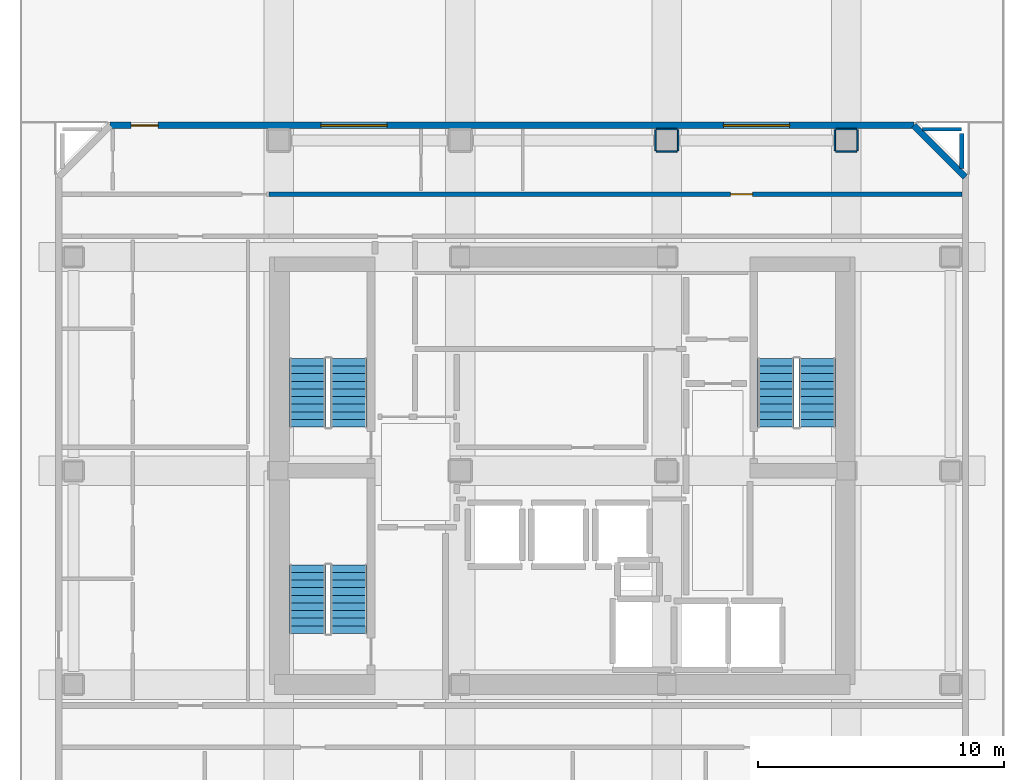
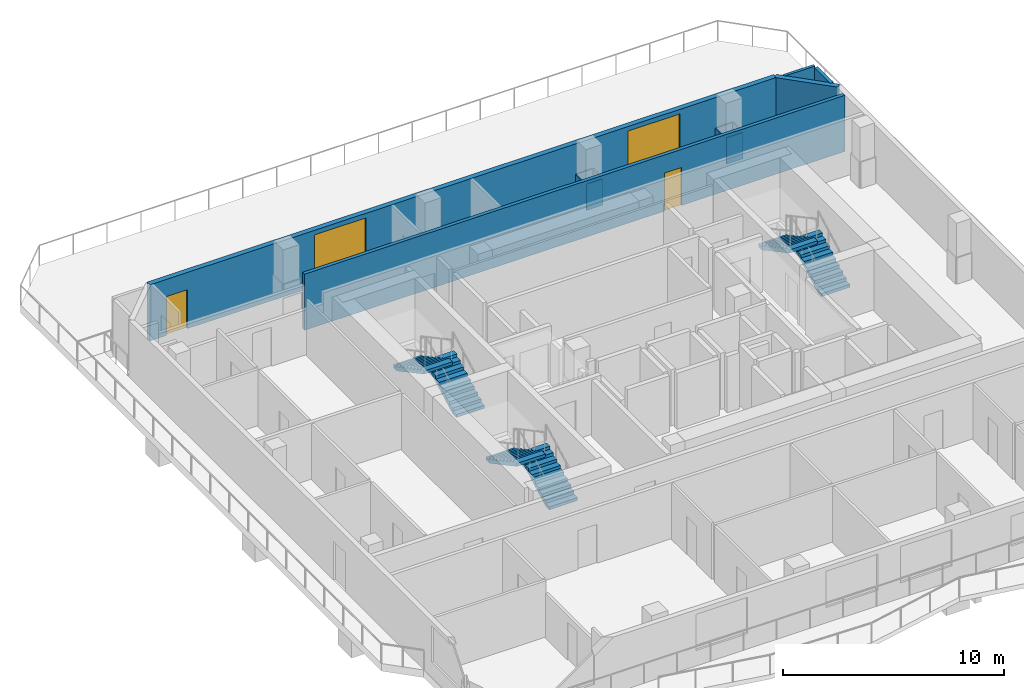
# One storey, part 6 of 10: 13 walls, 6 stair flights, 2 doors, 2 windows, 4 openings, 3 elements without a shape of their own.
"""IFC4 building model written with IfcOpenShell, lengths in metres."""

import ifcopenshell
import ifcopenshell.guid

model = None  # the IFC model being written
_history = None  # IfcOwnerHistory: only IFC2X3 demands one
_inside = {}  # id of a spatial element -> (the spatial element, [elements in it])
_under = {}  # id of a project, library or spatial element -> (it, [spatial elements below it])
_declared = {}  # id of a project -> (the project, [libraries it declares])
_typed = {}  # id of a type object -> (the type object, [elements of that type])
_made_of = {}  # id of a material, layer set ... -> (it, [elements and type objects made of it])


def new_model(schema):
    """Start an empty IFC model of exactly this schema.

    Asked for "IFC4X3", IfcOpenShell would pick the latest addendum, in which some entities
    have other attributes; the version numbers below select the first issue.
    IFC2X3 requires an IfcOwnerHistory on every rooted entity: one is made here for all.
    """
    global model, _history
    if schema == "IFC4X3":
        model = ifcopenshell.file(schema_version=(4, 3, 0, 0))
    else:
        model = ifcopenshell.file(schema=schema)
    _inside.clear()
    _under.clear()
    _declared.clear()
    _typed.clear()
    _made_of.clear()
    _history = None
    if model.schema == "IFC2X3":
        org = make("IfcOrganization", Name="unknown")
        user = make(
            "IfcPersonAndOrganization",
            ThePerson=make("IfcPerson", FamilyName="unknown"),
            TheOrganization=org,
        )
        app = make(
            "IfcApplication",
            ApplicationDeveloper=org,
            Version="unknown",
            ApplicationFullName="unknown",
            ApplicationIdentifier="unknown",
        )
        _history = make(
            "IfcOwnerHistory",
            OwningUser=user,
            OwningApplication=app,
            ChangeAction="ADDED",
            CreationDate=0,
        )
    return model


def make(cls, **values):
    """One entity of the class cls with the attributes given. An attribute that is None is left unset."""
    return model.create_entity(
        cls, **{name: value for name, value in values.items() if value is not None}
    )


def rooted(cls, **values):
    """An entity with a GlobalId (a new one), such as an element, a storey or a relation."""
    return make(cls, GlobalId=ifcopenshell.guid.new(), OwnerHistory=_history, **values)


def si_unit(unit_type, name, prefix=None):
    """IfcSIUnit, for example si_unit("LENGTHUNIT", "METRE", prefix="MILLI")."""
    return make("IfcSIUnit", UnitType=unit_type, Prefix=prefix, Name=name)


def assignment(units):
    """IfcUnitAssignment: the units of a project."""
    return None if units is None else make("IfcUnitAssignment", Units=units)


def point(xyz):
    """IfcCartesianPoint."""
    return None if xyz is None else make("IfcCartesianPoint", Coordinates=xyz)


def direction(xyz):
    """IfcDirection."""
    return None if xyz is None else make("IfcDirection", DirectionRatios=xyz)


def frame(location, z_axis=None, x_axis=None):
    """IfcAxis2Placement3D, a coordinate frame: its origin and axes. An axis left out is left unset."""
    return make(
        "IfcAxis2Placement3D",
        Location=point(location),
        Axis=direction(z_axis),
        RefDirection=direction(x_axis),
    )


def frame_2d(location, x_axis=None):
    """IfcAxis2Placement2D, a coordinate frame in the plane: its origin and x axis."""
    return make(
        "IfcAxis2Placement2D", Location=point(location), RefDirection=direction(x_axis)
    )


def origin():
    """The frame at (0, 0, 0) with its axes left unset."""
    return frame((0.0, 0.0, 0.0))


def place(relative_to, where):
    """IfcLocalPlacement: puts the frame where relative to a parent placement (None: the world)."""
    return make(
        "IfcLocalPlacement", PlacementRelTo=relative_to, RelativePlacement=where
    )


def context(
    kind, dimensions, precision=None, world=None, true_north=None, identifier=None
):
    """IfcGeometricRepresentationContext, for example the 3D "Model" context."""
    return make(
        "IfcGeometricRepresentationContext",
        ContextIdentifier=identifier,
        ContextType=kind,
        CoordinateSpaceDimension=dimensions,
        Precision=precision,
        WorldCoordinateSystem=world,
        TrueNorth=true_north,
    )


def subcontext(parent, identifier, kind, view, scale=None):
    """IfcGeometricRepresentationSubContext, for example "Body" below "Model"."""
    return make(
        "IfcGeometricRepresentationSubContext",
        ContextIdentifier=identifier,
        ContextType=kind,
        ParentContext=parent,
        TargetScale=scale,
        TargetView=view,
    )


def project(units=None, contexts=None):
    """IfcProject with its units and contexts."""
    return rooted(
        "IfcProject",
        Name="project",
        RepresentationContexts=contexts,
        UnitsInContext=assignment(units),
    )


def spatial(cls, under=None, at=None, **own):
    """A site, building, storey or space (cls), placed at a placement, below another one or the project."""
    s = rooted(cls, ObjectPlacement=at, **own)
    if under is not None:
        _under.setdefault(under.id(), (under, []))[1].append(s)
    return s


def polyline(points):
    """IfcPolyline through the points."""
    return make("IfcPolyline", Points=[point(p) for p in points])


def profile(cls, at=None, kind="AREA", **sizes):
    """A parametric profile (cls). Its sizes go by their IFC names, for example OverallWidth=200.0."""
    return make(cls, ProfileType=kind, Position=at, **sizes)


def rectangle(**sizes):
    """IfcRectangleProfileDef."""
    return profile("IfcRectangleProfileDef", **sizes)


def outline(outer, holes=None, kind="AREA"):
    """IfcArbitraryClosedProfileDef: a profile drawn as a closed curve; with holes, ...WithVoids."""
    if holes is None:
        return make("IfcArbitraryClosedProfileDef", ProfileType=kind, OuterCurve=outer)
    return make(
        "IfcArbitraryProfileDefWithVoids",
        ProfileType=kind,
        OuterCurve=outer,
        InnerCurves=holes,
    )


def extrude(swept, where, along, depth):
    """IfcExtrudedAreaSolid: the profile swept, set in the frame where, extruded along a direction by depth."""
    return make(
        "IfcExtrudedAreaSolid",
        SweptArea=swept,
        Position=where,
        ExtrudedDirection=direction(along),
        Depth=depth,
    )


def shape(context_of_items, identifier, shape_type, items):
    """IfcShapeRepresentation: the items that make up one representation, for example the "Body"."""
    return make(
        "IfcShapeRepresentation",
        ContextOfItems=context_of_items,
        RepresentationIdentifier=identifier,
        RepresentationType=shape_type,
        Items=items,
    )


def material(Name=None, Category=None):
    """IfcMaterial."""
    return make("IfcMaterial", Name=Name, Category=Category)


def layer(
    of_material, thickness, ventilated=None, Name=None, Category=None, Priority=None
):
    """IfcMaterialLayer: one layer of a wall or slab, of a material (None: an air gap)."""
    return make(
        "IfcMaterialLayer",
        Material=of_material,
        LayerThickness=thickness,
        IsVentilated=ventilated,
        Name=Name,
        Category=Category,
        Priority=Priority,
    )


def layer_set(layers, Name=None):
    """IfcMaterialLayerSet."""
    return make("IfcMaterialLayerSet", MaterialLayers=layers, LayerSetName=Name)


def made_of(thing, what):
    """Note that an element or type object is made of a material, layer set ...; save() writes the relation."""
    if what is not None:
        _made_of.setdefault(what.id(), (what, []))[1].append(thing)
    return thing


def type_object(cls, material=None, **own):
    """A type object (cls), such as IfcWallType, which elements share."""
    return made_of(rooted(cls, **own), material)


def element(
    cls,
    number,
    at=None,
    inside=None,
    cuts=None,
    type_object=None,
    material=None,
    context=None,
    identifier="Body",
    shape_type=None,
    held_by="IfcProductDefinitionShape",
    body=None,
    shapes=None,
    **own,
):
    """One element of the class cls, such as IfcWall. Its Tag is "e" and its number.

    at: its placement. inside: the storey or other place that contains it. cuts: it is an
    opening in that element (IfcRelVoidsElement). A single representation is given by context,
    identifier, shape_type and body (its items); several are given by shapes. held_by: the class
    of the entity that holds the representations. save() writes the other relations.
    """
    e = rooted(cls, Tag="e%d" % number, ObjectPlacement=at, **own)
    if body is not None:
        shapes = [shape(context, identifier, shape_type, body)]
    if shapes is not None:
        e.Representation = make(held_by, Representations=shapes)
    if inside is not None:
        _inside.setdefault(inside.id(), (inside, []))[1].append(e)
    if cuts is not None:
        rooted(
            "IfcRelVoidsElement", RelatingBuildingElement=cuts, RelatedOpeningElement=e
        )
    if type_object is not None:
        _typed.setdefault(type_object.id(), (type_object, []))[1].append(e)
    return made_of(e, material)


def fill(opening, filler):
    """IfcRelFillsElement: the door or window that sits in an opening."""
    return rooted(
        "IfcRelFillsElement",
        RelatingOpeningElement=opening,
        RelatedBuildingElement=filler,
    )


def aggregate(whole, parts):
    """IfcRelAggregates: a whole, such as a stair, and the parts it consists of."""
    return rooted("IfcRelAggregates", RelatingObject=whole, RelatedObjects=parts)


def save(model, path):
    """Write the relations noted so far, then the file.

    IfcRelAggregates (storeys below a building ...), IfcRelContainedInSpatialStructure (elements
    in a storey), IfcRelDefinesByType, IfcRelAssociatesMaterial and IfcRelDeclares: one each for
    every whole, place, type object, material and project.
    """
    for whole, parts in _under.values():
        aggregate(whole, parts)
    for where, things in _inside.values():
        rooted(
            "IfcRelContainedInSpatialStructure",
            RelatedElements=things,
            RelatingStructure=where,
        )
    for kind, things in _typed.values():
        rooted("IfcRelDefinesByType", RelatedObjects=things, RelatingType=kind)
    for what, things in _made_of.values():
        rooted("IfcRelAssociatesMaterial", RelatedObjects=things, RelatingMaterial=what)
    for by, libraries in _declared.values():
        rooted("IfcRelDeclares", RelatingContext=by, RelatedDefinitions=libraries)
    model.write(path)


model = new_model("IFC4")

# Units and contexts
model_context = context("Model", 3, precision=1e-05, world=origin(), true_north=direction((0.0, 1.0)))
body_context = subcontext(model_context, "Body", "Model", "MODEL_VIEW")
ifc_project = project(units=[si_unit("LENGTHUNIT", "METRE"), si_unit("AREAUNIT", "SQUARE_METRE"), si_unit("VOLUMEUNIT", "CUBIC_METRE"), si_unit("PLANEANGLEUNIT", "RADIAN"), si_unit("MASSUNIT", "GRAM", prefix="KILO")], contexts=[model_context])

# Site, building, storey
site_placement = place(None, origin())
site = spatial("IfcSite", under=ifc_project, at=site_placement, CompositionType="ELEMENT")
building_placement = place(site_placement, origin())
building = spatial("IfcBuilding", under=site, at=building_placement, Name="Solanera Arch Residences", CompositionType="ELEMENT")
storey_placement = place(building_placement, frame((0.0, 0.0, 190.159912109375)))
storey = spatial("IfcBuildingStorey", under=building, at=storey_placement, Name="L55", CompositionType="ELEMENT", Elevation=190.159912109375)

# Walls
ifc_material_1 = material(Name="Fire-Rated Gypsum Stud Partition", Category="gypsum")
ifc_layer_1 = layer(ifc_material_1, 0.06005859375)
ifc_layer_set_1 = layer_set([ifc_layer_1], Name="Fire-Rated Gypsum Stud Partition")
wall_type_1 = type_object("IfcWallType", Name="Column Acoustic Furring Wall 60", PredefinedType="PARTITIONING", material=ifc_layer_set_1)
for number, where, z_axis, x_axis, name in (
    (1, (28.77490234375, 43.693115234375, 0.0), (0.0, 0.0, 1.0), (1.0, 0.0, 0.0), "L55 Column Furring 14S"),
    (2, (28.77490234375, 44.60693359375, 0.0), (0.0, 0.0, 1.0), (1.0, 0.0, 0.0), "L55 Column Furring 14N"),
):
    element("IfcWall", number, at=place(storey_placement, frame(where, z_axis=z_axis, x_axis=x_axis)), inside=storey, type_object=wall_type_1, Name=name, PredefinedType="PARTITIONING", context=body_context, shape_type="SweptSolid", body=[
        extrude(rectangle(XDim=0.85009765625, YDim=0.06005859375, at=frame_2d((0.425048828125, 0.0))), origin(), (0.0, 0.0, 1.0), 1.4501953125),
    ])
for number, where, z_axis, x_axis, name in (
    (3, (28.742919921875, 43.72509765625, 0.0), (0.0, 0.0, 1.0), (0.0, 1.0, 0.0), "L55 Column Furring 14W"),
    (4, (29.656982421875, 43.72509765625, 0.0), (0.0, 0.0, 1.0), (0.0, 1.0, 0.0), "L55 Column Furring 14E"),
):
    element("IfcWall", number, at=place(storey_placement, frame(where, z_axis=z_axis, x_axis=x_axis)), inside=storey, type_object=wall_type_1, Name=name, PredefinedType="PARTITIONING", context=body_context, shape_type="SweptSolid", body=[
        extrude(rectangle(XDim=0.849853515625, YDim=0.06005859375, at=frame_2d((0.4248046875, 0.0))), origin(), (0.0, 0.0, 1.0), 1.4501953125),
    ])
for number, where, z_axis, x_axis, name in (
    (5, (36.074951171875, 43.693115234375, 0.0), (0.0, 0.0, 1.0), (1.0, 0.0, 0.0), "L55 Column Furring 16S"),
    (6, (36.074951171875, 44.60693359375, 0.0), (0.0, 0.0, 1.0), (1.0, 0.0, 0.0), "L55 Column Furring 16N"),
):
    element("IfcWall", number, at=place(storey_placement, frame(where, z_axis=z_axis, x_axis=x_axis)), inside=storey, type_object=wall_type_1, Name=name, PredefinedType="PARTITIONING", context=body_context, shape_type="SweptSolid", body=[
        extrude(rectangle(XDim=0.85009765625, YDim=0.06005859375, at=frame_2d((0.425048828125, 0.0))), origin(), (0.0, 0.0, 1.0), 1.4501953125),
    ])
for number, where, z_axis, x_axis, name in (
    (7, (36.04296875, 43.72509765625, 0.0), (0.0, 0.0, 1.0), (0.0, 1.0, 0.0), "L55 Column Furring 16W"),
    (8, (36.95703125, 43.72509765625, 0.0), (0.0, 0.0, 1.0), (0.0, 1.0, 0.0), "L55 Column Furring 16E"),
):
    element("IfcWall", number, at=place(storey_placement, frame(where, z_axis=z_axis, x_axis=x_axis)), inside=storey, type_object=wall_type_1, Name=name, PredefinedType="PARTITIONING", context=body_context, shape_type="SweptSolid", body=[
        extrude(rectangle(XDim=0.849853515625, YDim=0.06005859375, at=frame_2d((0.4248046875, 0.0))), origin(), (0.0, 0.0, 1.0), 1.4501953125),
    ])

# Wall, opening, door
ifc_material_2 = material(Name="Autoclaved Aerated Concrete Blockwork", Category="masonry")
ifc_layer_2 = layer(ifc_material_2, 0.179931640625)
ifc_layer_set_2 = layer_set([ifc_layer_2], Name="Autoclaved Aerated Concrete Blockwork")
wall_type_2 = type_object("IfcWallType", Name="Corridor Fire Partition 180", PredefinedType="PARTITIONING", material=ifc_layer_set_2)
wall_1_placement = place(storey_placement, frame((13.011962890625, 41.949951171875, 0.0), z_axis=(0.0, 0.0, 1.0), x_axis=(1.0, 0.0, 0.0)))
wall_1 = element("IfcWall", 9, at=wall_1_placement, inside=storey, type_object=wall_type_2, Name="L55 Interior Partition H13 3", PredefinedType="PARTITIONING", context=body_context, shape_type="SweptSolid", body=[
    extrude(rectangle(XDim=28.200927734375, YDim=0.179931640625, at=frame_2d((14.1005859375, 0.0))), origin(), (0.0, 0.0, 1.0), 3.10009765625),
])
opening_1_placement = place(wall_1_placement, frame((18.782958984375, 0.0, 0.0)))
opening_1 = element("IfcOpeningElement", 10, at=opening_1_placement, cuts=wall_1, Name="Opening DI-02", PredefinedType="OPENING", context=body_context, shape_type="SweptSolid", body=[
    extrude(rectangle(XDim=0.89990234375, YDim=2.10009765625, at=frame_2d((0.449951171875, 1.050048828125))), frame((0.0, 0.10009765625, 0.0), z_axis=(0.0, -1.0, 0.0), x_axis=(1.0, 0.0, 0.0)), (0.0, 0.0, 1.0), 0.1999),
])
ifc_material_3 = material(Name="Fire-Rated Architectural Hardwood", Category="wood")
door_type_1 = type_object("IfcDoorType", Name="Suite Room Swing Door DI-02", OperationType="NOTDEFINED", PredefinedType="DOOR", material=ifc_material_3)
door_1_placement = place(opening_1_placement, origin())
door_1 = element("IfcDoor", 11, at=door_1_placement, inside=storey, type_object=door_type_1, Name="DR-L55-IN-029", OperationType="SINGLE_SWING_RIGHT", OverallHeight=2.10009765625, OverallWidth=0.89990234375, PredefinedType="DOOR", context=body_context, shape_type="SweptSolid", body=[
    extrude(rectangle(XDim=0.89990234375, YDim=2.10009765625, at=frame_2d((0.449951171875, 1.050048828125))), frame((0.0, 0.02490234375, 0.0), z_axis=(0.0, -1.0, 0.0), x_axis=(1.0, 0.0, 0.0)), (0.0, 0.0, 1.0), 0.050048828125),
])
fill(opening_1, door_1)

# Wall
wall_2_placement = place(storey_placement, frame((41.199951171875, 43.010986328125, 0.0), z_axis=(0.0, 0.0, 1.0), x_axis=(0.0, 1.0, 0.0)))
element("IfcWall", 12, at=wall_2_placement, inside=storey, type_object=wall_type_2, Name="L55 Interior Partition V10", PredefinedType="PARTITIONING", context=body_context, shape_type="SweptSolid", body=[
    extrude(rectangle(XDim=1.4208984375, YDim=0.179931640625, at=frame_2d((0.71044921875, 0.0))), origin(), (0.0, 0.0, 1.0), 3.10009765625),
])

# Wall, openings, door, windows
ifc_material_4 = material(Name="Precast Concrete C35/45", Category="concrete")
ifc_layer_3 = layer(ifc_material_4, 0.260009765625)
ifc_layer_set_3 = layer_set([ifc_layer_3], Name="Precast Concrete C35/45")
wall_type_3 = type_object("IfcWallType", Name="Exterior Wall Precast Masonry-Frame 260", PredefinedType="STANDARD", material=ifc_layer_set_3)
wall_3_placement = place(storey_placement, frame((6.544921875, 44.7548828125, 0.0), z_axis=(0.0, 0.0, 1.0), x_axis=(1.0, 0.0, 0.0)))
wall_3 = element("IfcWall", 13, at=wall_3_placement, inside=storey, type_object=wall_type_3, Name="L55 Tower Exterior Precast Masonry-Frame Wall N", PredefinedType="STANDARD", context=body_context, shape_type="SweptSolid", body=[
    extrude(rectangle(XDim=32.7099609375, YDim=0.260009765625, at=frame_2d((16.35498046875, 0.0))), origin(), (0.0, 0.0, 1.0), 3.10009765625),
])
opening_2_placement = place(wall_3_placement, frame((0.85693359375, 0.0, 0.0)))
opening_2 = element("IfcOpeningElement", 14, at=opening_2_placement, cuts=wall_3, Name="Opening DB-02", PredefinedType="OPENING", context=body_context, shape_type="SweptSolid", body=[
    extrude(rectangle(XDim=1.10009765625, YDim=2.14990234375, at=frame_2d((0.550048828125, 1.074951171875))), frame((0.0, 0.139892578125, 0.0), z_axis=(0.0, -1.0, 0.0), x_axis=(1.0, 0.0, 0.0)), (0.0, 0.0, 1.0), 0.28),
])
opening_3_placement = place(wall_3_placement, frame((8.576904296875, 0.0, 0.85009765625)))
opening_3 = element("IfcOpeningElement", 15, at=opening_3_placement, cuts=wall_3, Name="Opening W-09", PredefinedType="OPENING", context=body_context, shape_type="SweptSolid", body=[
    extrude(rectangle(XDim=2.699951171875, YDim=2.0, at=frame_2d((1.35009765625, 1.0))), frame((0.0, 0.139892578125, 0.0), z_axis=(0.0, -1.0, 0.0), x_axis=(1.0, 0.0, 0.0)), (0.0, 0.0, 1.0), 0.28),
])
opening_4_placement = place(wall_3_placement, frame((24.955078125, 0.0, 0.85009765625)))
opening_4 = element("IfcOpeningElement", 16, at=opening_4_placement, cuts=wall_3, Name="Opening W-09", PredefinedType="OPENING", context=body_context, shape_type="SweptSolid", body=[
    extrude(rectangle(XDim=2.699951171875, YDim=2.0, at=frame_2d((1.35009765625, 1.0))), frame((0.0, 0.139892578125, 0.0), z_axis=(0.0, -1.0, 0.0), x_axis=(1.0, 0.0, 0.0)), (0.0, 0.0, 1.0), 0.28),
])
ifc_material_5 = material(Name="Anodised Aluminium Alloy 6063-T6", Category="aluminium")
door_type_2 = type_object("IfcDoorType", Name="Glazed Terrace Swing Door DB-02", OperationType="NOTDEFINED", PredefinedType="DOOR", material=ifc_material_5)
door_2_placement = place(opening_2_placement, origin())
door_2 = element("IfcDoor", 17, at=door_2_placement, inside=storey, type_object=door_type_2, Name="DR-L55-OUT-01", OperationType="SINGLE_SWING_LEFT", OverallHeight=2.14990234375, OverallWidth=1.10009765625, PredefinedType="DOOR", context=body_context, shape_type="SweptSolid", body=[
    extrude(rectangle(XDim=1.10009765625, YDim=2.14990234375, at=frame_2d((0.550048828125, 1.074951171875))), frame((0.0, 0.02490234375, 0.0), z_axis=(0.0, -1.0, 0.0), x_axis=(1.0, 0.0, 0.0)), (0.0, 0.0, 1.0), 0.050048828125),
])
fill(opening_2, door_2)
ifc_material_6 = material(Name="Double Glazed Low-E Laminated Glass", Category="glass")
window_type = type_object("IfcWindowType", Name="Punched Window W-09", PartitioningType="TRIPLE_PANEL_VERTICAL", PredefinedType="WINDOW", material=ifc_material_6)
window_1_placement = place(opening_3_placement, origin())
window_1 = element("IfcWindow", 18, at=window_1_placement, inside=storey, type_object=window_type, Name="L55 5503-LIV Punched Window", OverallHeight=2.0, OverallWidth=2.699951171875, PartitioningType="SINGLE_PANEL", PredefinedType="WINDOW", context=body_context, shape_type="SweptSolid", body=[
    extrude(rectangle(XDim=2.699951171875, YDim=2.0, at=frame_2d((1.35009765625, 1.0))), frame((0.0, 0.030029296875, 0.0), z_axis=(0.0, -1.0, 0.0), x_axis=(1.0, 0.0, 0.0)), (0.0, 0.0, 1.0), 0.06005859375),
])
fill(opening_3, window_1)
window_2_placement = place(opening_4_placement, origin())
window_2 = element("IfcWindow", 19, at=window_2_placement, inside=storey, type_object=window_type, Name="L55 AMN-WIN Punched Window", OverallHeight=2.0, OverallWidth=2.699951171875, PartitioningType="SINGLE_PANEL", PredefinedType="WINDOW", context=body_context, shape_type="SweptSolid", body=[
    extrude(rectangle(XDim=2.699951171875, YDim=2.0, at=frame_2d((1.35009765625, 1.0))), frame((0.0, 0.030029296875, 0.0), z_axis=(0.0, -1.0, 0.0), x_axis=(1.0, 0.0, 0.0)), (0.0, 0.0, 1.0), 0.06005859375),
])
fill(opening_4, window_2)

# Walls
wall_4_placement = place(storey_placement, frame((39.2548828125, 44.7548828125, 0.0), z_axis=(0.0, 0.0, 1.0), x_axis=(0.707147883682, -0.707065676302, 0.0)))
element("IfcWall", 20, at=wall_4_placement, inside=storey, type_object=wall_type_3, Name="L55 Tower Exterior Precast Masonry-Frame Wall CH3", PredefinedType="STANDARD", context=body_context, shape_type="SweptSolid", body=[
    extrude(rectangle(XDim=2.9697265625, YDim=0.260009765625, at=frame_2d((1.48486328125, 0.0))), origin(), (0.0, 0.0, 1.0), 3.10009765625),
])
ifc_material_7 = material(Name="Autoclaved Aerated Concrete Blockwork", Category="masonry")
ifc_layer_4 = layer(ifc_material_7, 0.139892578125)
ifc_layer_set_4 = layer_set([ifc_layer_4], Name="Autoclaved Aerated Concrete Blockwork")
wall_type_4 = type_object("IfcWallType", Name="Wet-Room Partition 140", PredefinedType="PARTITIONING", material=ifc_layer_set_4)
wall_5_placement = place(storey_placement, frame((39.611083984375, 44.60009765625, 0.0), z_axis=(0.0, 0.0, 1.0), x_axis=(1.0, 0.0, 0.0)))
element("IfcWall", 21, at=wall_5_placement, inside=storey, type_object=wall_type_4, Name="L55 Interior Partition H19 2", PredefinedType="PARTITIONING", context=body_context, shape_type="SweptSolid", body=[
    extrude(rectangle(XDim=1.5888671875, YDim=0.139892578125, at=frame_2d((0.79443359375, 0.0))), origin(), (0.0, 0.0, 1.0), 3.10009765625),
])

# Stair, stair flights
ifc_material_8 = material(Name="Concrete C40/50 (f'c = 45 MPa)", Category="concrete")
stair_type = type_object("IfcStairType", Name="Tower Dogleg Exit Stair 1480", PredefinedType="HALF_TURN_STAIR", material=ifc_material_8)
stair_1_placement = place(storey_placement, origin())
stair_1 = element("IfcStair", 22, at=stair_1_placement, inside=storey, type_object=stair_type, Name="L55 Tower Core Exit Stair 1", PredefinedType="HALF_TURN_STAIR")
ifc_material_9 = material(Name="Concrete C40/50 (f'c = 45 MPa)", Category="concrete")
stair_flight_type = type_object("IfcStairFlightType", Name="Tower Precast Stair Flight 1480", PredefinedType="STRAIGHT", material=ifc_material_9)
stair_flight_1_placement = place(storey_placement, frame((16.260009765625, 32.47998046875, 0.0), z_axis=(0.0, 0.0, 1.0), x_axis=(0.0, 1.0, 0.0)))
stair_flight_1 = element("IfcStairFlight", 23, at=stair_flight_1_placement, type_object=stair_flight_type, Name="ST-T1 flight 1", NumberOfRisers=10, NumberOfTreads=9, PredefinedType="STRAIGHT", RiserHeight=0.166, TreadLength=0.31, context=body_context, shape_type="SweptSolid", body=[
    extrude(outline(polyline([(0.0, 0.0), (0.0, 0.166015625), (0.31005859375, 0.166015625), (0.31005859375, 0.33203125), (0.6201171875, 0.33203125), (0.6201171875, 0.498046875), (0.929931640625, 0.498046875), (0.929931640625, 0.6640625), (1.239990234375, 0.6640625), (1.239990234375, 0.830078125), (1.550048828125, 0.830078125), (1.550048828125, 0.99609375), (1.860107421875, 0.99609375), (1.860107421875, 1.162109375), (2.169921875, 1.162109375), (2.169921875, 1.327880859375), (2.47998046875, 1.327880859375), (2.47998046875, 1.493896484375), (2.7900390625, 1.493896484375), (2.7900390625, 1.659912109375), (2.7900390625, 1.323974609375), (0.317626953125, 0.0), (0.0, 0.0)])), frame((0.0, 0.739990234375, 0.0), z_axis=(0.0, -1.0, 0.0), x_axis=(1.0, 0.0, 0.0)), (0.0, 0.0, 1.0), 1.47998046875),
])
stair_flight_2_placement = place(storey_placement, frame((14.580078125, 35.27001953125, 1.66015625), z_axis=(0.0, 0.0, 1.0), x_axis=(0.0, -1.0, 0.0)))
stair_flight_2 = element("IfcStairFlight", 24, at=stair_flight_2_placement, type_object=stair_flight_type, Name="ST-T1 flight 2", NumberOfRisers=10, NumberOfTreads=9, PredefinedType="STRAIGHT", RiserHeight=0.166, TreadLength=0.31, context=body_context, shape_type="SweptSolid", body=[
    extrude(outline(polyline([(0.0, 0.0), (0.0, 0.166015625), (0.31005859375, 0.166015625), (0.31005859375, 0.33203125), (0.6201171875, 0.33203125), (0.6201171875, 0.498046875), (0.929931640625, 0.498046875), (0.929931640625, 0.6640625), (1.239990234375, 0.6640625), (1.239990234375, 0.830078125), (1.550048828125, 0.830078125), (1.550048828125, 0.99609375), (1.860107421875, 0.99609375), (1.860107421875, 1.162109375), (2.169921875, 1.162109375), (2.169921875, 1.327880859375), (2.47998046875, 1.327880859375), (2.47998046875, 1.493896484375), (2.7900390625, 1.493896484375), (2.7900390625, 1.659912109375), (2.7900390625, 1.323974609375), (0.317626953125, 0.0), (0.0, 0.0)])), frame((0.0, 0.739990234375, 0.0), z_axis=(0.0, -1.0, 0.0), x_axis=(1.0, 0.0, 0.0)), (0.0, 0.0, 1.0), 1.47998046875),
])
aggregate(stair_1, [stair_flight_1, stair_flight_2])

stair_2_placement = place(storey_placement, origin())
stair_2 = element("IfcStair", 25, at=stair_2_placement, inside=storey, type_object=stair_type, Name="L55 Tower Core Exit Stair 2", PredefinedType="HALF_TURN_STAIR")
stair_flight_3_placement = place(storey_placement, frame((35.320068359375, 32.47998046875, 0.0), z_axis=(0.0, 0.0, 1.0), x_axis=(0.0, 1.0, 0.0)))
stair_flight_3 = element("IfcStairFlight", 26, at=stair_flight_3_placement, type_object=stair_flight_type, Name="ST-T2 flight 1", NumberOfRisers=10, NumberOfTreads=9, PredefinedType="STRAIGHT", RiserHeight=0.166, TreadLength=0.31, context=body_context, shape_type="SweptSolid", body=[
    extrude(outline(polyline([(0.0, 0.0), (0.0, 0.166015625), (0.31005859375, 0.166015625), (0.31005859375, 0.33203125), (0.6201171875, 0.33203125), (0.6201171875, 0.498046875), (0.929931640625, 0.498046875), (0.929931640625, 0.6640625), (1.239990234375, 0.6640625), (1.239990234375, 0.830078125), (1.550048828125, 0.830078125), (1.550048828125, 0.99609375), (1.860107421875, 0.99609375), (1.860107421875, 1.162109375), (2.169921875, 1.162109375), (2.169921875, 1.327880859375), (2.47998046875, 1.327880859375), (2.47998046875, 1.493896484375), (2.7900390625, 1.493896484375), (2.7900390625, 1.659912109375), (2.7900390625, 1.323974609375), (0.317626953125, 0.0), (0.0, 0.0)])), frame((0.0, 0.739990234375, 0.0), z_axis=(0.0, -1.0, 0.0), x_axis=(1.0, 0.0, 0.0)), (0.0, 0.0, 1.0), 1.47998046875),
])
stair_flight_4_placement = place(storey_placement, frame((33.639892578125, 35.27001953125, 1.66015625), z_axis=(0.0, 0.0, 1.0), x_axis=(0.0, -1.0, 0.0)))
stair_flight_4 = element("IfcStairFlight", 27, at=stair_flight_4_placement, type_object=stair_flight_type, Name="ST-T2 flight 2", NumberOfRisers=10, NumberOfTreads=9, PredefinedType="STRAIGHT", RiserHeight=0.166, TreadLength=0.31, context=body_context, shape_type="SweptSolid", body=[
    extrude(outline(polyline([(0.0, 0.0), (0.0, 0.166015625), (0.31005859375, 0.166015625), (0.31005859375, 0.33203125), (0.6201171875, 0.33203125), (0.6201171875, 0.498046875), (0.929931640625, 0.498046875), (0.929931640625, 0.6640625), (1.239990234375, 0.6640625), (1.239990234375, 0.830078125), (1.550048828125, 0.830078125), (1.550048828125, 0.99609375), (1.860107421875, 0.99609375), (1.860107421875, 1.162109375), (2.169921875, 1.162109375), (2.169921875, 1.327880859375), (2.47998046875, 1.327880859375), (2.47998046875, 1.493896484375), (2.7900390625, 1.493896484375), (2.7900390625, 1.659912109375), (2.7900390625, 1.323974609375), (0.317626953125, 0.0), (0.0, 0.0)])), frame((0.0, 0.739990234375, 0.0), z_axis=(0.0, -1.0, 0.0), x_axis=(1.0, 0.0, 0.0)), (0.0, 0.0, 1.0), 1.47998046875),
])
aggregate(stair_2, [stair_flight_3, stair_flight_4])

stair_3_placement = place(storey_placement, origin())
stair_3 = element("IfcStair", 28, at=stair_3_placement, inside=storey, type_object=stair_type, Name="L55 Tower Core Exit Stair 3", PredefinedType="HALF_TURN_STAIR")
stair_flight_5_placement = place(storey_placement, frame((16.260009765625, 24.080078125, 0.0), z_axis=(0.0, 0.0, 1.0), x_axis=(0.0, 1.0, 0.0)))
stair_flight_5 = element("IfcStairFlight", 29, at=stair_flight_5_placement, type_object=stair_flight_type, Name="ST-T3 flight 1", NumberOfRisers=10, NumberOfTreads=9, PredefinedType="STRAIGHT", RiserHeight=0.166, TreadLength=0.31, context=body_context, shape_type="SweptSolid", body=[
    extrude(outline(polyline([(0.0, 0.0), (0.0, 0.166015625), (0.31005859375, 0.166015625), (0.31005859375, 0.33203125), (0.6201171875, 0.33203125), (0.6201171875, 0.498046875), (0.929931640625, 0.498046875), (0.929931640625, 0.6640625), (1.239990234375, 0.6640625), (1.239990234375, 0.830078125), (1.550048828125, 0.830078125), (1.550048828125, 0.99609375), (1.860107421875, 0.99609375), (1.860107421875, 1.162109375), (2.169921875, 1.162109375), (2.169921875, 1.327880859375), (2.47998046875, 1.327880859375), (2.47998046875, 1.493896484375), (2.7900390625, 1.493896484375), (2.7900390625, 1.659912109375), (2.7900390625, 1.323974609375), (0.317626953125, 0.0), (0.0, 0.0)])), frame((0.0, 0.739990234375, 0.0), z_axis=(0.0, -1.0, 0.0), x_axis=(1.0, 0.0, 0.0)), (0.0, 0.0, 1.0), 1.47998046875),
])
stair_flight_6_placement = place(storey_placement, frame((14.580078125, 26.8701171875, 1.66015625), z_axis=(0.0, 0.0, 1.0), x_axis=(0.0, -1.0, 0.0)))
stair_flight_6 = element("IfcStairFlight", 30, at=stair_flight_6_placement, type_object=stair_flight_type, Name="ST-T3 flight 2", NumberOfRisers=10, NumberOfTreads=9, PredefinedType="STRAIGHT", RiserHeight=0.166, TreadLength=0.31, context=body_context, shape_type="SweptSolid", body=[
    extrude(outline(polyline([(0.0, 0.0), (0.0, 0.166015625), (0.31005859375, 0.166015625), (0.31005859375, 0.33203125), (0.6201171875, 0.33203125), (0.6201171875, 0.498046875), (0.929931640625, 0.498046875), (0.929931640625, 0.6640625), (1.239990234375, 0.6640625), (1.239990234375, 0.830078125), (1.550048828125, 0.830078125), (1.550048828125, 0.99609375), (1.860107421875, 0.99609375), (1.860107421875, 1.162109375), (2.169921875, 1.162109375), (2.169921875, 1.327880859375), (2.47998046875, 1.327880859375), (2.47998046875, 1.493896484375), (2.7900390625, 1.493896484375), (2.7900390625, 1.659912109375), (2.7900390625, 1.323974609375), (0.317626953125, 0.0), (0.0, 0.0)])), frame((0.0, 0.739990234375, 0.0), z_axis=(0.0, -1.0, 0.0), x_axis=(1.0, 0.0, 0.0)), (0.0, 0.0, 1.0), 1.47998046875),
])
aggregate(stair_3, [stair_flight_5, stair_flight_6])

save(model, "model.ifc")
